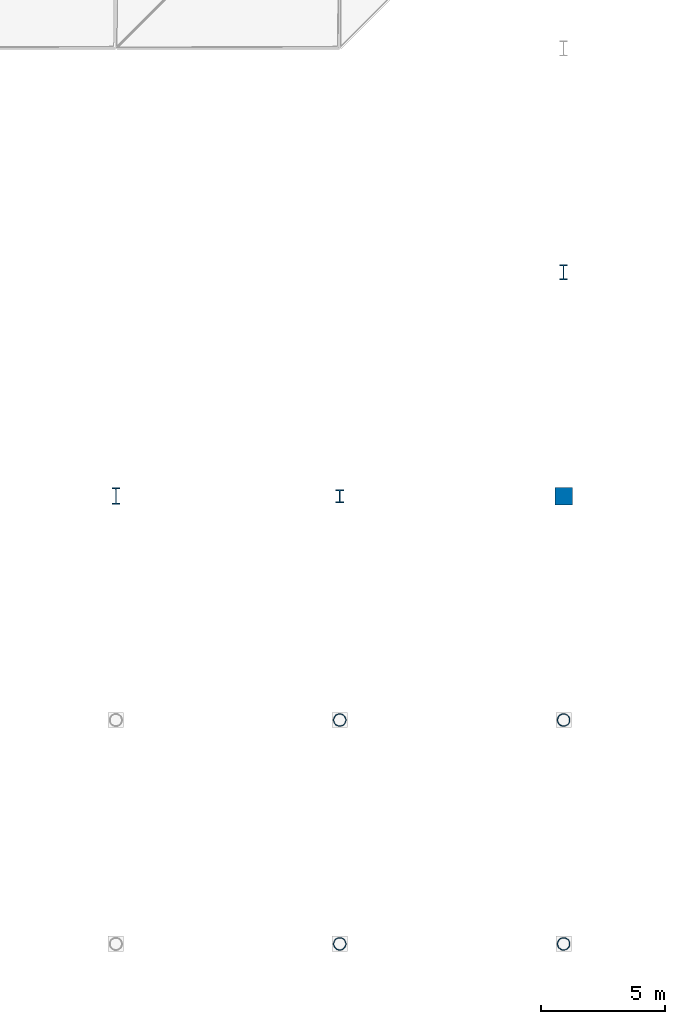
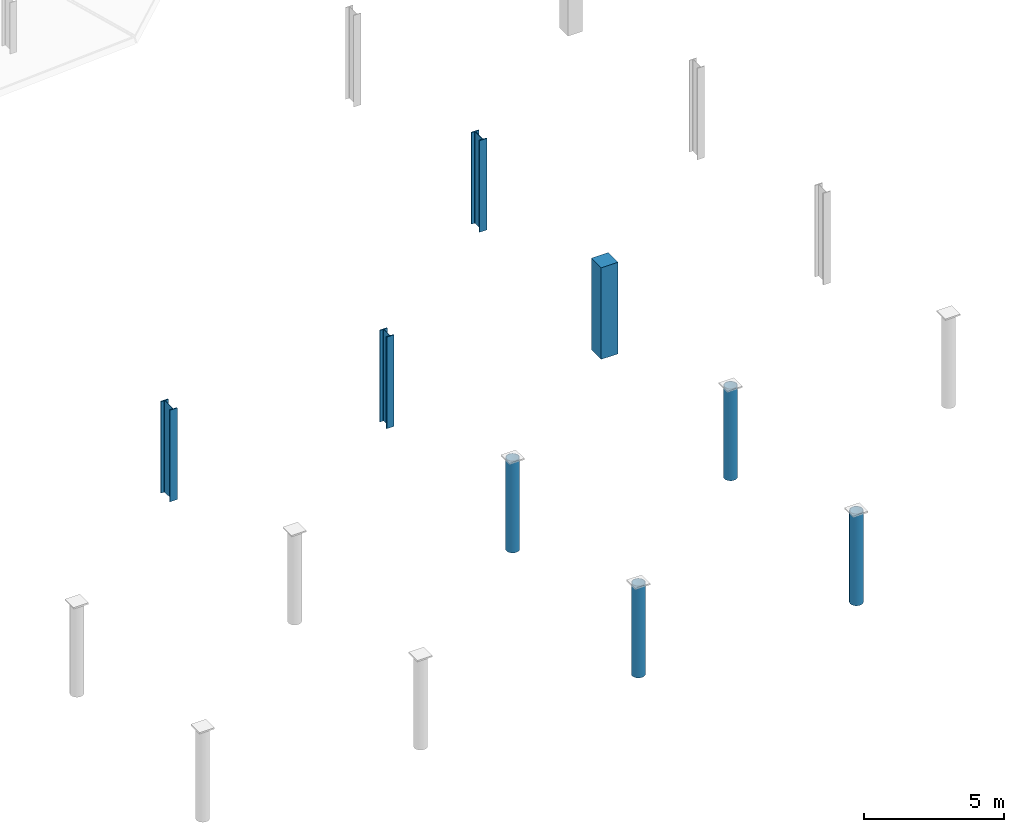
# One storey, part 2 of 102: 8 columns.
"""IFC4 building model written with IfcOpenShell, lengths in metres."""

import ifcopenshell
import ifcopenshell.guid

model = None  # the IFC model being written
_history = None  # IfcOwnerHistory: only IFC2X3 demands one
_inside = {}  # id of a spatial element -> (the spatial element, [elements in it])
_under = {}  # id of a project, library or spatial element -> (it, [spatial elements below it])
_declared = {}  # id of a project -> (the project, [libraries it declares])
_typed = {}  # id of a type object -> (the type object, [elements of that type])
_made_of = {}  # id of a material, layer set ... -> (it, [elements and type objects made of it])


def new_model(schema):
    """Start an empty IFC model of exactly this schema.

    Asked for "IFC4X3", IfcOpenShell would pick the latest addendum, in which some entities
    have other attributes; the version numbers below select the first issue.
    IFC2X3 requires an IfcOwnerHistory on every rooted entity: one is made here for all.
    """
    global model, _history
    if schema == "IFC4X3":
        model = ifcopenshell.file(schema_version=(4, 3, 0, 0))
    else:
        model = ifcopenshell.file(schema=schema)
    _inside.clear()
    _under.clear()
    _declared.clear()
    _typed.clear()
    _made_of.clear()
    _history = None
    if model.schema == "IFC2X3":
        org = make("IfcOrganization", Name="unknown")
        user = make(
            "IfcPersonAndOrganization",
            ThePerson=make("IfcPerson", FamilyName="unknown"),
            TheOrganization=org,
        )
        app = make(
            "IfcApplication",
            ApplicationDeveloper=org,
            Version="unknown",
            ApplicationFullName="unknown",
            ApplicationIdentifier="unknown",
        )
        _history = make(
            "IfcOwnerHistory",
            OwningUser=user,
            OwningApplication=app,
            ChangeAction="ADDED",
            CreationDate=0,
        )
    return model


def make(cls, **values):
    """One entity of the class cls with the attributes given. An attribute that is None is left unset."""
    return model.create_entity(
        cls, **{name: value for name, value in values.items() if value is not None}
    )


def rooted(cls, **values):
    """An entity with a GlobalId (a new one), such as an element, a storey or a relation."""
    return make(cls, GlobalId=ifcopenshell.guid.new(), OwnerHistory=_history, **values)


def si_unit(unit_type, name, prefix=None):
    """IfcSIUnit, for example si_unit("LENGTHUNIT", "METRE", prefix="MILLI")."""
    return make("IfcSIUnit", UnitType=unit_type, Prefix=prefix, Name=name)


def assignment(units):
    """IfcUnitAssignment: the units of a project."""
    return None if units is None else make("IfcUnitAssignment", Units=units)


def point(xyz):
    """IfcCartesianPoint."""
    return None if xyz is None else make("IfcCartesianPoint", Coordinates=xyz)


def direction(xyz):
    """IfcDirection."""
    return None if xyz is None else make("IfcDirection", DirectionRatios=xyz)


def frame(location, z_axis=None, x_axis=None):
    """IfcAxis2Placement3D, a coordinate frame: its origin and axes. An axis left out is left unset."""
    return make(
        "IfcAxis2Placement3D",
        Location=point(location),
        Axis=direction(z_axis),
        RefDirection=direction(x_axis),
    )


def frame_2d(location, x_axis=None):
    """IfcAxis2Placement2D, a coordinate frame in the plane: its origin and x axis."""
    return make(
        "IfcAxis2Placement2D", Location=point(location), RefDirection=direction(x_axis)
    )


def origin():
    """The frame at (0, 0, 0) with its axes left unset."""
    return frame((0.0, 0.0, 0.0))


def origin_2d():
    """The frame at (0, 0) in the plane with its x axis left unset."""
    return frame_2d((0.0, 0.0))


def place(relative_to, where):
    """IfcLocalPlacement: puts the frame where relative to a parent placement (None: the world)."""
    return make(
        "IfcLocalPlacement", PlacementRelTo=relative_to, RelativePlacement=where
    )


def context(
    kind, dimensions, precision=None, world=None, true_north=None, identifier=None
):
    """IfcGeometricRepresentationContext, for example the 3D "Model" context."""
    return make(
        "IfcGeometricRepresentationContext",
        ContextIdentifier=identifier,
        ContextType=kind,
        CoordinateSpaceDimension=dimensions,
        Precision=precision,
        WorldCoordinateSystem=world,
        TrueNorth=true_north,
    )


def subcontext(parent, identifier, kind, view, scale=None):
    """IfcGeometricRepresentationSubContext, for example "Body" below "Model"."""
    return make(
        "IfcGeometricRepresentationSubContext",
        ContextIdentifier=identifier,
        ContextType=kind,
        ParentContext=parent,
        TargetScale=scale,
        TargetView=view,
    )


def project(units=None, contexts=None):
    """IfcProject with its units and contexts."""
    return rooted(
        "IfcProject",
        Name="project",
        RepresentationContexts=contexts,
        UnitsInContext=assignment(units),
    )


def spatial(cls, under=None, at=None, **own):
    """A site, building, storey or space (cls), placed at a placement, below another one or the project."""
    s = rooted(cls, ObjectPlacement=at, **own)
    if under is not None:
        _under.setdefault(under.id(), (under, []))[1].append(s)
    return s


def profile(cls, at=None, kind="AREA", **sizes):
    """A parametric profile (cls). Its sizes go by their IFC names, for example OverallWidth=200.0."""
    return make(cls, ProfileType=kind, Position=at, **sizes)


def rectangle(**sizes):
    """IfcRectangleProfileDef."""
    return profile("IfcRectangleProfileDef", **sizes)


def hollow_circle(**sizes):
    """IfcCircleHollowProfileDef."""
    return profile("IfcCircleHollowProfileDef", **sizes)


def i_section(**sizes):
    """IfcIShapeProfileDef."""
    return profile("IfcIShapeProfileDef", **sizes)


def extrude(swept, where, along, depth):
    """IfcExtrudedAreaSolid: the profile swept, set in the frame where, extruded along a direction by depth."""
    return make(
        "IfcExtrudedAreaSolid",
        SweptArea=swept,
        Position=where,
        ExtrudedDirection=direction(along),
        Depth=depth,
    )


def shape(context_of_items, identifier, shape_type, items):
    """IfcShapeRepresentation: the items that make up one representation, for example the "Body"."""
    return make(
        "IfcShapeRepresentation",
        ContextOfItems=context_of_items,
        RepresentationIdentifier=identifier,
        RepresentationType=shape_type,
        Items=items,
    )


def material(Name=None, Category=None):
    """IfcMaterial."""
    return make("IfcMaterial", Name=Name, Category=Category)


def material_profile(
    of_material, cross_section, Name=None, Category=None, Priority=None
):
    """IfcMaterialProfile: a cross section and its material."""
    return make(
        "IfcMaterialProfile",
        Name=Name,
        Material=of_material,
        Profile=cross_section,
        Priority=Priority,
        Category=Category,
    )


def profile_set(profiles, Name=None, composite=None):
    """IfcMaterialProfileSet."""
    return make(
        "IfcMaterialProfileSet",
        Name=Name,
        MaterialProfiles=profiles,
        CompositeProfile=composite,
    )


def made_of(thing, what):
    """Note that an element or type object is made of a material, layer set ...; save() writes the relation."""
    if what is not None:
        _made_of.setdefault(what.id(), (what, []))[1].append(thing)
    return thing


def type_object(cls, material=None, **own):
    """A type object (cls), such as IfcWallType, which elements share."""
    return made_of(rooted(cls, **own), material)


def element(
    cls,
    number,
    at=None,
    inside=None,
    cuts=None,
    type_object=None,
    material=None,
    context=None,
    identifier="Body",
    shape_type=None,
    held_by="IfcProductDefinitionShape",
    body=None,
    shapes=None,
    **own,
):
    """One element of the class cls, such as IfcWall. Its Tag is "e" and its number.

    at: its placement. inside: the storey or other place that contains it. cuts: it is an
    opening in that element (IfcRelVoidsElement). A single representation is given by context,
    identifier, shape_type and body (its items); several are given by shapes. held_by: the class
    of the entity that holds the representations. save() writes the other relations.
    """
    e = rooted(cls, Tag="e%d" % number, ObjectPlacement=at, **own)
    if body is not None:
        shapes = [shape(context, identifier, shape_type, body)]
    if shapes is not None:
        e.Representation = make(held_by, Representations=shapes)
    if inside is not None:
        _inside.setdefault(inside.id(), (inside, []))[1].append(e)
    if cuts is not None:
        rooted(
            "IfcRelVoidsElement", RelatingBuildingElement=cuts, RelatedOpeningElement=e
        )
    if type_object is not None:
        _typed.setdefault(type_object.id(), (type_object, []))[1].append(e)
    return made_of(e, material)


def aggregate(whole, parts):
    """IfcRelAggregates: a whole, such as a stair, and the parts it consists of."""
    return rooted("IfcRelAggregates", RelatingObject=whole, RelatedObjects=parts)


def save(model, path):
    """Write the relations noted so far, then the file.

    IfcRelAggregates (storeys below a building ...), IfcRelContainedInSpatialStructure (elements
    in a storey), IfcRelDefinesByType, IfcRelAssociatesMaterial and IfcRelDeclares: one each for
    every whole, place, type object, material and project.
    """
    for whole, parts in _under.values():
        aggregate(whole, parts)
    for where, things in _inside.values():
        rooted(
            "IfcRelContainedInSpatialStructure",
            RelatedElements=things,
            RelatingStructure=where,
        )
    for kind, things in _typed.values():
        rooted("IfcRelDefinesByType", RelatedObjects=things, RelatingType=kind)
    for what, things in _made_of.values():
        rooted("IfcRelAssociatesMaterial", RelatedObjects=things, RelatingMaterial=what)
    for by, libraries in _declared.values():
        rooted("IfcRelDeclares", RelatingContext=by, RelatedDefinitions=libraries)
    model.write(path)


model = new_model("IFC4")

# Units and contexts
model_context = context("Model", 3, precision=1e-05, world=origin(), true_north=direction((0.0, 1.0)))
body_context = subcontext(model_context, "Body", "Model", "MODEL_VIEW")
ifc_project = project(units=[si_unit("LENGTHUNIT", "METRE"), si_unit("AREAUNIT", "SQUARE_METRE"), si_unit("VOLUMEUNIT", "CUBIC_METRE"), si_unit("PLANEANGLEUNIT", "RADIAN"), si_unit("MASSUNIT", "GRAM", prefix="KILO")], contexts=[model_context])

# Site, building, storey
site_placement = place(None, origin())
site = spatial("IfcSite", under=ifc_project, at=site_placement, CompositionType="ELEMENT")
building_placement = place(site_placement, origin())
building = spatial("IfcBuilding", under=site, at=building_placement, Name="Barlavento Convention Centre", CompositionType="ELEMENT")
storey_placement = place(building_placement, frame((0.0, 0.0, 22.800048828125)))
storey = spatial("IfcBuildingStorey", under=building, at=storey_placement, Name="L04", CompositionType="ELEMENT", Elevation=22.800048828125)

# Columns
ifc_material_1 = material(Name="Steel S460", Category="steel")
ifc_material_profile_1 = material_profile(ifc_material_1, hollow_circle(Radius=0.25390625, WallThickness=0.02001953125, at=origin_2d()), Name="CHS 508.0x20.0")
ifc_profile_set_1 = profile_set([ifc_material_profile_1], Name="Steel S460")
column_type_1 = type_object("IfcColumnType", Name="STR-COL-CHS508", PredefinedType="COLUMN", material=ifc_profile_set_1)
for number, where, z_axis, x_axis, name in (
    (1, (45.0, 0.0, 0.0), (0.0, 0.0, 1.0), (1.0, 0.0, 0.0), "L04 Congress hall column SC13"),
    (2, (45.0, 9.0, 0.0), (0.0, 0.0, 1.0), (1.0, 0.0, 0.0), "L04 Congress hall column SC13"),
    (3, (54.0, 0.0, 0.0), (0.0, 0.0, 1.0), (1.0, 0.0, 0.0), "L04 Congress hall column SC13"),
    (4, (54.0, 9.0, 0.0), (0.0, 0.0, 1.0), (1.0, 0.0, 0.0), "L04 Congress hall column SC13"),
):
    element("IfcColumn", number, at=place(storey_placement, frame(where, z_axis=z_axis, x_axis=x_axis)), inside=storey, type_object=column_type_1, Name=name, PredefinedType="COLUMN", context=body_context, shape_type="SweptSolid", body=[
        extrude(hollow_circle(Radius=0.25390625, WallThickness=0.02001953125, at=origin_2d()), origin(), (0.0, 0.0, 1.0), 4.0),
    ])
ifc_material_2 = material(Name="Steel S355", Category="steel")
ifc_material_profile_2 = material_profile(ifc_material_2, i_section(OverallWidth=0.305908203125, OverallDepth=0.52392578125, WebThickness=0.02099609375, FlangeThickness=0.0400390625, FilletRadius=0.027099609375, at=origin_2d()), Name="HEM 500")
ifc_profile_set_2 = profile_set([ifc_material_profile_2], Name="Steel S355")
column_type_2 = type_object("IfcColumnType", Name="STR-COL-HEM500", PredefinedType="COLUMN", material=ifc_profile_set_2)
column_1_placement = place(storey_placement, frame((45.0, 18.0, 0.0), z_axis=(0.0, 0.0, 1.0), x_axis=(1.0, 0.0, 0.0)))
element("IfcColumn", 5, at=column_1_placement, inside=storey, type_object=column_type_2, Name="L04 Congress hall column SC07", PredefinedType="COLUMN", context=body_context, shape_type="SweptSolid", body=[
    extrude(i_section(OverallWidth=0.305908203125, OverallDepth=0.52392578125, WebThickness=0.02099609375, FlangeThickness=0.0400390625, FilletRadius=0.027099609375, at=origin_2d()), origin(), (0.0, 0.0, 1.0), 4.0),
])
ifc_material_profile_3 = material_profile(ifc_material_2, i_section(OverallWidth=0.304931640625, OverallDepth=0.6201171875, WebThickness=0.02099609375, FlangeThickness=0.0400390625, FilletRadius=0.027099609375, at=origin_2d()), Name="HEM 600")
ifc_profile_set_3 = profile_set([ifc_material_profile_3], Name="Steel S355")
column_type_3 = type_object("IfcColumnType", Name="STR-COL-HEM600", PredefinedType="COLUMN", material=ifc_profile_set_3)
column_2_placement = place(storey_placement, frame((54.0, 27.0, 0.0), z_axis=(0.0, 0.0, 1.0), x_axis=(1.0, 0.0, 0.0)))
element("IfcColumn", 6, at=column_2_placement, inside=storey, type_object=column_type_3, Name="L04 Congress hall column SC05", PredefinedType="COLUMN", context=body_context, shape_type="SweptSolid", body=[
    extrude(i_section(OverallWidth=0.304931640625, OverallDepth=0.6201171875, WebThickness=0.02099609375, FlangeThickness=0.0400390625, FilletRadius=0.027099609375, at=origin_2d()), origin(), (0.0, 0.0, 1.0), 4.0),
])
ifc_material_profile_4 = material_profile(ifc_material_1, i_section(OverallWidth=0.304931640625, OverallDepth=0.66796875, WebThickness=0.02099609375, FlangeThickness=0.0400390625, FilletRadius=0.027099609375, at=origin_2d()), Name="HEM 650")
ifc_profile_set_4 = profile_set([ifc_material_profile_4], Name="Steel S460")
column_type_4 = type_object("IfcColumnType", Name="STR-COL-HEM650", PredefinedType="COLUMN", material=ifc_profile_set_4)
column_3_placement = place(storey_placement, frame((36.0, 18.0, 0.0), z_axis=(0.0, 0.0, 1.0), x_axis=(1.0, 0.0, 0.0)))
element("IfcColumn", 7, at=column_3_placement, inside=storey, type_object=column_type_4, Name="L04 Congress hall column SC04", PredefinedType="COLUMN", context=body_context, shape_type="SweptSolid", body=[
    extrude(i_section(OverallWidth=0.304931640625, OverallDepth=0.66796875, WebThickness=0.02099609375, FlangeThickness=0.0400390625, FilletRadius=0.027099609375, at=origin_2d()), origin(), (0.0, 0.0, 1.0), 4.0),
])
ifc_material_3 = material(Name="Concrete C40/50", Category="concrete")
ifc_material_profile_5 = material_profile(ifc_material_3, rectangle(XDim=0.699951171875, YDim=0.699951171875, at=origin_2d()), Name="RC 700x700")
ifc_profile_set_5 = profile_set([ifc_material_profile_5], Name="Concrete C40/50")
column_type_5 = type_object("IfcColumnType", Name="STR-COL-RC700", PredefinedType="COLUMN", material=ifc_profile_set_5)
column_4_placement = place(storey_placement, frame((54.0, 18.0, 0.0), z_axis=(0.0, 0.0, 1.0), x_axis=(1.0, 0.0, 0.0)))
element("IfcColumn", 8, at=column_4_placement, inside=storey, type_object=column_type_5, Name="L04 Congress hall column CC06", PredefinedType="COLUMN", context=body_context, shape_type="SweptSolid", body=[
    extrude(rectangle(XDim=0.699951171875, YDim=0.699951171875, at=origin_2d()), origin(), (0.0, 0.0, 1.0), 4.0),
])

save(model, "model.ifc")
